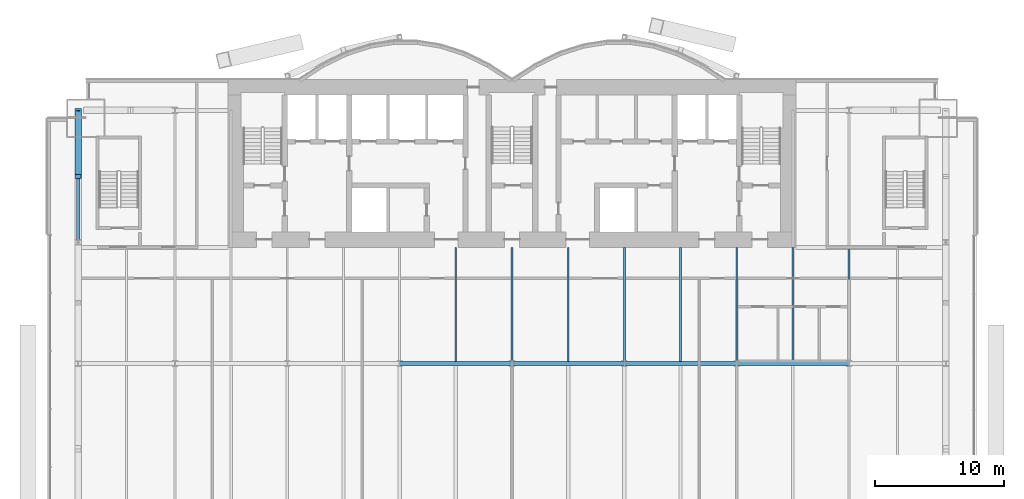
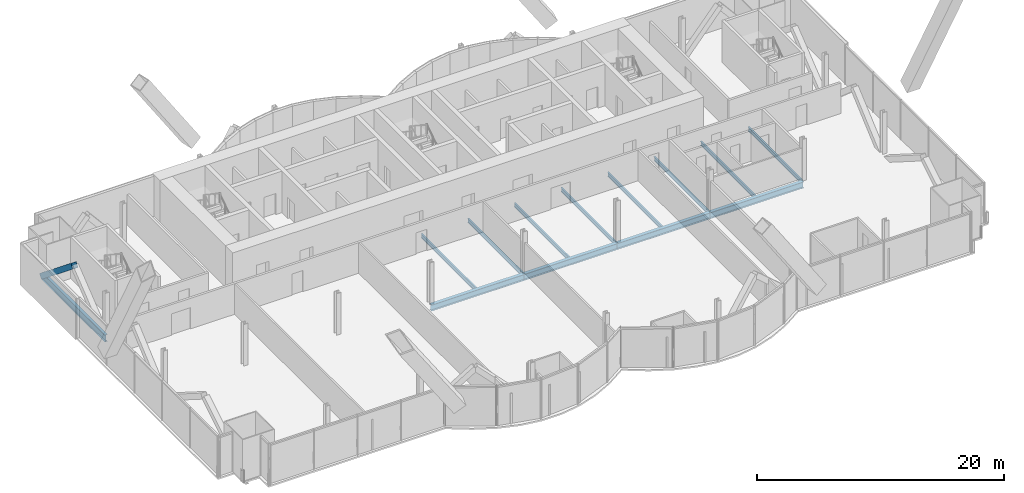
# One storey, part 10 of 23: 13 beams, 1 member.
"""IFC4 building model written with IfcOpenShell, lengths in metres."""

from ifc_helpers import new_model, si_unit, direction, frame, origin, origin_2d, place, context, subcontext, project, spatial, hollow_rectangle, i_section, extrude, material, material_profile, profile_set, type_object, element, save


model = new_model("IFC4")

# Units and contexts
model_context = context("Model", 3, precision=1e-05, world=origin(), true_north=direction((0.0, 1.0)))
body_context = subcontext(model_context, "Body", "Model", "MODEL_VIEW")
ifc_project = project(units=[si_unit("LENGTHUNIT", "METRE"), si_unit("AREAUNIT", "SQUARE_METRE"), si_unit("VOLUMEUNIT", "CUBIC_METRE"), si_unit("PLANEANGLEUNIT", "RADIAN"), si_unit("MASSUNIT", "GRAM", prefix="KILO")], contexts=[model_context])

# Site, building, storey
site_placement = place(None, origin())
site = spatial("IfcSite", under=ifc_project, at=site_placement, CompositionType="ELEMENT")
building_placement = place(site_placement, origin())
building = spatial("IfcBuilding", under=site, at=building_placement, Name="Bicima Exchange Tower", CompositionType="ELEMENT")
storey_placement = place(building_placement, frame((0.0, 0.0, 110.39990234375)))
storey = spatial("IfcBuildingStorey", under=building, at=storey_placement, Name="L23", CompositionType="ELEMENT", Elevation=110.39990234375)

# Beams
ifc_material_1 = material(Name="Steel ASTM A992 Gr 50", Category="steel")
ifc_material_profile_1 = material_profile(ifc_material_1, i_section(OverallWidth=0.256591796875, OverallDepth=0.693359375, WebThickness=0.014404296875, FlangeThickness=0.023681640625, at=origin_2d()))
ifc_profile_set_1 = profile_set([ifc_material_profile_1], Name="Steel ASTM A992 Gr 50")
beam_type_1 = type_object("IfcBeamType", Name="End girder W27x114", PredefinedType="BEAM", material=ifc_profile_set_1)
beam_1_placement = place(storey_placement, frame((-33.60009765625, -2.39990234375, -0.49658203125), z_axis=(0.0, -1.0, 0.0), x_axis=(1.0, 0.0, 0.0)))
element("IfcBeam", 1, at=beam_1_placement, inside=storey, type_object=beam_type_1, Name="End girder", PredefinedType="BEAM", context=body_context, shape_type="SweptSolid", body=[
    extrude(i_section(OverallWidth=0.256591796875, OverallDepth=0.693359375, WebThickness=0.014404296875, FlangeThickness=0.023681640625, at=origin_2d()), origin(), (0.0, 0.0, 1.0), 10.2001953125),
])
ifc_material_profile_2 = material_profile(ifc_material_1, i_section(OverallWidth=0.140380859375, OverallDepth=0.40380859375, WebThickness=0.007080078125, FlangeThickness=0.01123046875, at=origin_2d()))
ifc_profile_set_2 = profile_set([ifc_material_profile_2], Name="Steel ASTM A992 Gr 50")
beam_type_2 = type_object("IfcBeamType", Name="Floor beam W16x31", PredefinedType="JOIST", material=ifc_profile_set_2)
for number, where, z_axis, x_axis, name in (
    (2, (-4.35009765625, -13.0, -0.351806640625), (0.0, -1.0, 0.0), (1.0, 0.0, 0.0), "Floor beam"),
    (3, (0.0, -13.0, -0.351806640625), (0.0, -1.0, 0.0), (1.0, 0.0, 0.0), "Floor beam"),
    (4, (4.35009765625, -13.0, -0.351806640625), (0.0, -1.0, 0.0), (1.0, 0.0, 0.0), "Floor beam"),
    (5, (8.699951171875, -13.0, -0.351806640625), (0.0, -1.0, 0.0), (1.0, 0.0, 0.0), "Floor beam"),
    (6, (13.050048828125, -13.0, -0.351806640625), (0.0, -1.0, 0.0), (1.0, 0.0, 0.0), "Floor beam"),
    (7, (17.39990234375, -13.0, -0.351806640625), (0.0, -1.0, 0.0), (1.0, 0.0, 0.0), "Floor beam"),
    (8, (21.75, -13.0, -0.351806640625), (0.0, -1.0, 0.0), (1.0, 0.0, 0.0), "Floor beam"),
):
    element("IfcBeam", number, at=place(storey_placement, frame(where, z_axis=z_axis, x_axis=x_axis)), inside=storey, type_object=beam_type_2, Name=name, PredefinedType="JOIST", context=body_context, shape_type="SweptSolid", body=[
        extrude(i_section(OverallWidth=0.140380859375, OverallDepth=0.40380859375, WebThickness=0.007080078125, FlangeThickness=0.01123046875, at=origin_2d()), origin(), (0.0, 0.0, 1.0), 8.83740234375),
    ])
beam_2_placement = place(storey_placement, frame((26.10009765625, -13.15234375, -0.351806640625), z_axis=(0.0, -1.0, 0.0), x_axis=(1.0, 0.0, 0.0)))
element("IfcBeam", 9, at=beam_2_placement, inside=storey, type_object=beam_type_2, Name="Floor beam", PredefinedType="JOIST", context=body_context, shape_type="SweptSolid", body=[
    extrude(i_section(OverallWidth=0.140380859375, OverallDepth=0.40380859375, WebThickness=0.007080078125, FlangeThickness=0.01123046875, at=origin_2d()), origin(), (0.0, 0.0, 1.0), 8.68505859375),
])

# Member
ifc_material_2 = material(Name="Steel ASTM A572 Gr 50", Category="steel")
ifc_material_profile_3 = material_profile(ifc_material_2, hollow_rectangle(XDim=0.508056640625, YDim=0.508056640625, WallThickness=0.0146484375, at=origin_2d()))
ifc_profile_set_3 = profile_set([ifc_material_profile_3], Name="Steel ASTM A572 Gr 50")
member_type = type_object("IfcMemberType", Name="Mega brace HSS20x20x5/8", PredefinedType="BRACE", material=ifc_profile_set_3)
member_placement = place(storey_placement, frame((-33.60009765625, -2.39990234375, -0.49658203125), z_axis=(0.0, -0.779374241895, 0.626558689247), x_axis=(1.0, 0.0, 0.0)))
element("IfcMember", 10, at=member_placement, inside=storey, type_object=member_type, Name="Mega brace west end", PredefinedType="BRACE", context=body_context, shape_type="SweptSolid", body=[
    extrude(hollow_rectangle(XDim=0.508056640625, YDim=0.508056640625, WallThickness=0.0146484375, at=origin_2d()), origin(), (0.0, 0.0, 1.0), 6.5439453125),
])

# Beams
ifc_material_profile_4 = material_profile(ifc_material_1, i_section(OverallWidth=0.3251953125, OverallDepth=0.612060546875, WebThickness=0.0126953125, FlangeThickness=0.01904296875, at=origin_2d()))
ifc_profile_set_4 = profile_set([ifc_material_profile_4], Name="Steel ASTM A992 Gr 50")
beam_type_3 = type_object("IfcBeamType", Name="Row girder W24x104", PredefinedType="BEAM", material=ifc_profile_set_4)
for number, where, z_axis, x_axis, name in (
    (11, (-8.699951171875, -22.0, -0.4560546875), (1.0, 0.0, 0.0), (0.0, 1.0, 0.0), "Row girder"),
    (12, (0.0, -22.0, -0.4560546875), (1.0, 0.0, 0.0), (0.0, 1.0, 0.0), "Row girder"),
    (13, (8.699951171875, -22.0, -0.4560546875), (1.0, 0.0, 0.0), (0.0, 1.0, 0.0), "Row girder"),
):
    element("IfcBeam", number, at=place(storey_placement, frame(where, z_axis=z_axis, x_axis=x_axis)), inside=storey, type_object=beam_type_3, Name=name, PredefinedType="BEAM", context=body_context, shape_type="SweptSolid", body=[
        extrude(i_section(OverallWidth=0.3251953125, OverallDepth=0.612060546875, WebThickness=0.0126953125, FlangeThickness=0.01904296875, at=origin_2d()), origin(), (0.0, 0.0, 1.0), 8.699951171875),
    ])
beam_3_placement = place(storey_placement, frame((17.39990234375, -22.0, -0.4560546875), z_axis=(1.0, 0.0, 0.0), x_axis=(0.0, 1.0, 0.0)))
element("IfcBeam", 14, at=beam_3_placement, inside=storey, type_object=beam_type_3, Name="Row girder", PredefinedType="BEAM", context=body_context, shape_type="SweptSolid", body=[
    extrude(i_section(OverallWidth=0.3251953125, OverallDepth=0.612060546875, WebThickness=0.0126953125, FlangeThickness=0.01904296875, at=origin_2d()), origin(), (0.0, 0.0, 1.0), 8.7001953125),
])

save(model, "model.ifc")
